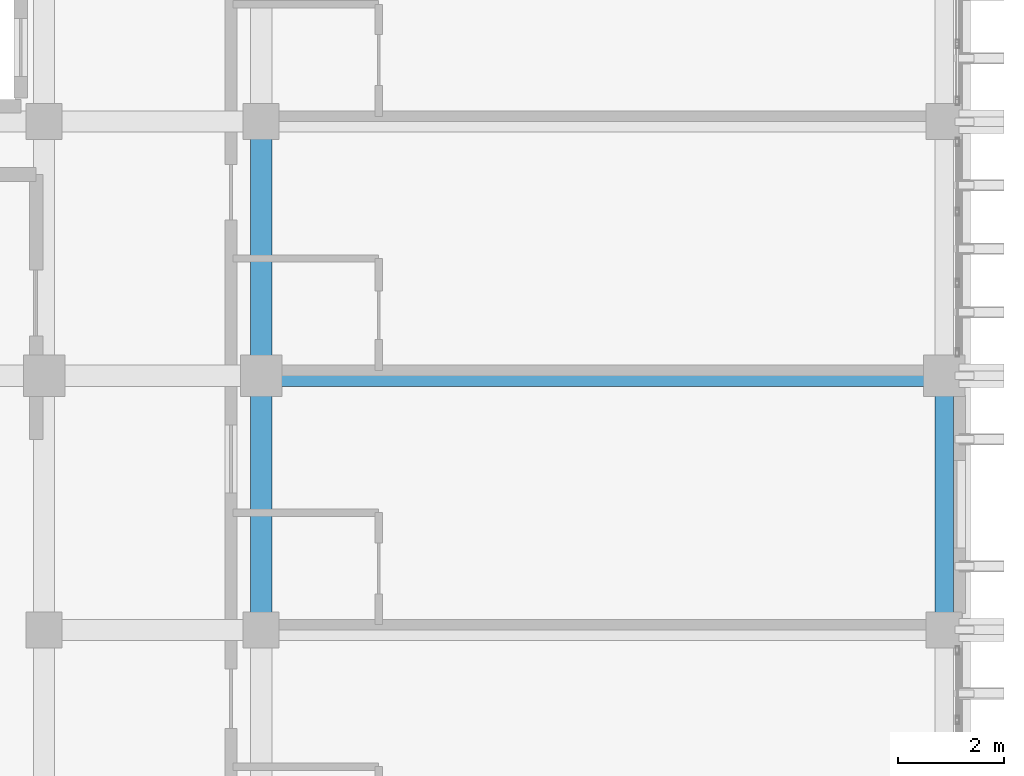
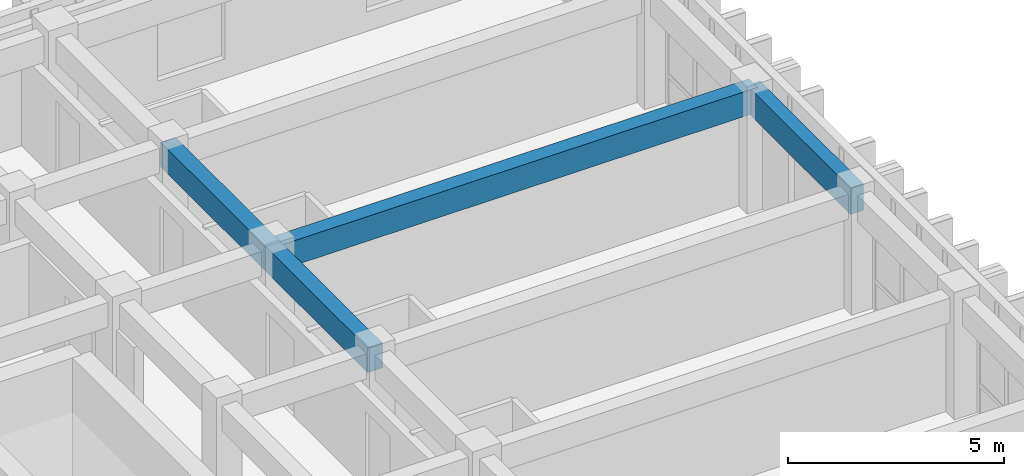
# One storey, part 48 of 68: 4 beams.
"""IFC4 building model written with IfcOpenShell, lengths in metres."""

import ifcopenshell
import ifcopenshell.guid

model = None  # the IFC model being written
_history = None  # IfcOwnerHistory: only IFC2X3 demands one
_inside = {}  # id of a spatial element -> (the spatial element, [elements in it])
_under = {}  # id of a project, library or spatial element -> (it, [spatial elements below it])
_declared = {}  # id of a project -> (the project, [libraries it declares])
_typed = {}  # id of a type object -> (the type object, [elements of that type])
_made_of = {}  # id of a material, layer set ... -> (it, [elements and type objects made of it])


def new_model(schema):
    """Start an empty IFC model of exactly this schema.

    Asked for "IFC4X3", IfcOpenShell would pick the latest addendum, in which some entities
    have other attributes; the version numbers below select the first issue.
    IFC2X3 requires an IfcOwnerHistory on every rooted entity: one is made here for all.
    """
    global model, _history
    if schema == "IFC4X3":
        model = ifcopenshell.file(schema_version=(4, 3, 0, 0))
    else:
        model = ifcopenshell.file(schema=schema)
    _inside.clear()
    _under.clear()
    _declared.clear()
    _typed.clear()
    _made_of.clear()
    _history = None
    if model.schema == "IFC2X3":
        org = make("IfcOrganization", Name="unknown")
        user = make(
            "IfcPersonAndOrganization",
            ThePerson=make("IfcPerson", FamilyName="unknown"),
            TheOrganization=org,
        )
        app = make(
            "IfcApplication",
            ApplicationDeveloper=org,
            Version="unknown",
            ApplicationFullName="unknown",
            ApplicationIdentifier="unknown",
        )
        _history = make(
            "IfcOwnerHistory",
            OwningUser=user,
            OwningApplication=app,
            ChangeAction="ADDED",
            CreationDate=0,
        )
    return model


def make(cls, **values):
    """One entity of the class cls with the attributes given. An attribute that is None is left unset."""
    return model.create_entity(
        cls, **{name: value for name, value in values.items() if value is not None}
    )


def rooted(cls, **values):
    """An entity with a GlobalId (a new one), such as an element, a storey or a relation."""
    return make(cls, GlobalId=ifcopenshell.guid.new(), OwnerHistory=_history, **values)


def si_unit(unit_type, name, prefix=None):
    """IfcSIUnit, for example si_unit("LENGTHUNIT", "METRE", prefix="MILLI")."""
    return make("IfcSIUnit", UnitType=unit_type, Prefix=prefix, Name=name)


def assignment(units):
    """IfcUnitAssignment: the units of a project."""
    return None if units is None else make("IfcUnitAssignment", Units=units)


def point(xyz):
    """IfcCartesianPoint."""
    return None if xyz is None else make("IfcCartesianPoint", Coordinates=xyz)


def direction(xyz):
    """IfcDirection."""
    return None if xyz is None else make("IfcDirection", DirectionRatios=xyz)


def frame(location, z_axis=None, x_axis=None):
    """IfcAxis2Placement3D, a coordinate frame: its origin and axes. An axis left out is left unset."""
    return make(
        "IfcAxis2Placement3D",
        Location=point(location),
        Axis=direction(z_axis),
        RefDirection=direction(x_axis),
    )


def frame_2d(location, x_axis=None):
    """IfcAxis2Placement2D, a coordinate frame in the plane: its origin and x axis."""
    return make(
        "IfcAxis2Placement2D", Location=point(location), RefDirection=direction(x_axis)
    )


def origin():
    """The frame at (0, 0, 0) with its axes left unset."""
    return frame((0.0, 0.0, 0.0))


def origin_2d():
    """The frame at (0, 0) in the plane with its x axis left unset."""
    return frame_2d((0.0, 0.0))


def place(relative_to, where):
    """IfcLocalPlacement: puts the frame where relative to a parent placement (None: the world)."""
    return make(
        "IfcLocalPlacement", PlacementRelTo=relative_to, RelativePlacement=where
    )


def context(
    kind, dimensions, precision=None, world=None, true_north=None, identifier=None
):
    """IfcGeometricRepresentationContext, for example the 3D "Model" context."""
    return make(
        "IfcGeometricRepresentationContext",
        ContextIdentifier=identifier,
        ContextType=kind,
        CoordinateSpaceDimension=dimensions,
        Precision=precision,
        WorldCoordinateSystem=world,
        TrueNorth=true_north,
    )


def subcontext(parent, identifier, kind, view, scale=None):
    """IfcGeometricRepresentationSubContext, for example "Body" below "Model"."""
    return make(
        "IfcGeometricRepresentationSubContext",
        ContextIdentifier=identifier,
        ContextType=kind,
        ParentContext=parent,
        TargetScale=scale,
        TargetView=view,
    )


def project(units=None, contexts=None):
    """IfcProject with its units and contexts."""
    return rooted(
        "IfcProject",
        Name="project",
        RepresentationContexts=contexts,
        UnitsInContext=assignment(units),
    )


def spatial(cls, under=None, at=None, **own):
    """A site, building, storey or space (cls), placed at a placement, below another one or the project."""
    s = rooted(cls, ObjectPlacement=at, **own)
    if under is not None:
        _under.setdefault(under.id(), (under, []))[1].append(s)
    return s


def profile(cls, at=None, kind="AREA", **sizes):
    """A parametric profile (cls). Its sizes go by their IFC names, for example OverallWidth=200.0."""
    return make(cls, ProfileType=kind, Position=at, **sizes)


def rectangle(**sizes):
    """IfcRectangleProfileDef."""
    return profile("IfcRectangleProfileDef", **sizes)


def extrude(swept, where, along, depth):
    """IfcExtrudedAreaSolid: the profile swept, set in the frame where, extruded along a direction by depth."""
    return make(
        "IfcExtrudedAreaSolid",
        SweptArea=swept,
        Position=where,
        ExtrudedDirection=direction(along),
        Depth=depth,
    )


def shape(context_of_items, identifier, shape_type, items):
    """IfcShapeRepresentation: the items that make up one representation, for example the "Body"."""
    return make(
        "IfcShapeRepresentation",
        ContextOfItems=context_of_items,
        RepresentationIdentifier=identifier,
        RepresentationType=shape_type,
        Items=items,
    )


def material(Name=None, Category=None):
    """IfcMaterial."""
    return make("IfcMaterial", Name=Name, Category=Category)


def material_profile(
    of_material, cross_section, Name=None, Category=None, Priority=None
):
    """IfcMaterialProfile: a cross section and its material."""
    return make(
        "IfcMaterialProfile",
        Name=Name,
        Material=of_material,
        Profile=cross_section,
        Priority=Priority,
        Category=Category,
    )


def profile_set(profiles, Name=None, composite=None):
    """IfcMaterialProfileSet."""
    return make(
        "IfcMaterialProfileSet",
        Name=Name,
        MaterialProfiles=profiles,
        CompositeProfile=composite,
    )


def made_of(thing, what):
    """Note that an element or type object is made of a material, layer set ...; save() writes the relation."""
    if what is not None:
        _made_of.setdefault(what.id(), (what, []))[1].append(thing)
    return thing


def type_object(cls, material=None, **own):
    """A type object (cls), such as IfcWallType, which elements share."""
    return made_of(rooted(cls, **own), material)


def element(
    cls,
    number,
    at=None,
    inside=None,
    cuts=None,
    type_object=None,
    material=None,
    context=None,
    identifier="Body",
    shape_type=None,
    held_by="IfcProductDefinitionShape",
    body=None,
    shapes=None,
    **own,
):
    """One element of the class cls, such as IfcWall. Its Tag is "e" and its number.

    at: its placement. inside: the storey or other place that contains it. cuts: it is an
    opening in that element (IfcRelVoidsElement). A single representation is given by context,
    identifier, shape_type and body (its items); several are given by shapes. held_by: the class
    of the entity that holds the representations. save() writes the other relations.
    """
    e = rooted(cls, Tag="e%d" % number, ObjectPlacement=at, **own)
    if body is not None:
        shapes = [shape(context, identifier, shape_type, body)]
    if shapes is not None:
        e.Representation = make(held_by, Representations=shapes)
    if inside is not None:
        _inside.setdefault(inside.id(), (inside, []))[1].append(e)
    if cuts is not None:
        rooted(
            "IfcRelVoidsElement", RelatingBuildingElement=cuts, RelatedOpeningElement=e
        )
    if type_object is not None:
        _typed.setdefault(type_object.id(), (type_object, []))[1].append(e)
    return made_of(e, material)


def aggregate(whole, parts):
    """IfcRelAggregates: a whole, such as a stair, and the parts it consists of."""
    return rooted("IfcRelAggregates", RelatingObject=whole, RelatedObjects=parts)


def save(model, path):
    """Write the relations noted so far, then the file.

    IfcRelAggregates (storeys below a building ...), IfcRelContainedInSpatialStructure (elements
    in a storey), IfcRelDefinesByType, IfcRelAssociatesMaterial and IfcRelDeclares: one each for
    every whole, place, type object, material and project.
    """
    for whole, parts in _under.values():
        aggregate(whole, parts)
    for where, things in _inside.values():
        rooted(
            "IfcRelContainedInSpatialStructure",
            RelatedElements=things,
            RelatingStructure=where,
        )
    for kind, things in _typed.values():
        rooted("IfcRelDefinesByType", RelatedObjects=things, RelatingType=kind)
    for what, things in _made_of.values():
        rooted("IfcRelAssociatesMaterial", RelatedObjects=things, RelatingMaterial=what)
    for by, libraries in _declared.values():
        rooted("IfcRelDeclares", RelatingContext=by, RelatedDefinitions=libraries)
    model.write(path)


model = new_model("IFC4")

# Units and contexts
model_context = context("Model", 3, precision=1e-05, world=origin(), true_north=direction((0.0, 1.0)))
body_context = subcontext(model_context, "Body", "Model", "MODEL_VIEW")
ifc_project = project(units=[si_unit("LENGTHUNIT", "METRE"), si_unit("AREAUNIT", "SQUARE_METRE"), si_unit("VOLUMEUNIT", "CUBIC_METRE"), si_unit("PLANEANGLEUNIT", "RADIAN"), si_unit("MASSUNIT", "GRAM", prefix="KILO")], contexts=[model_context])

# Site, building, storey
site_placement = place(None, origin())
site = spatial("IfcSite", under=ifc_project, at=site_placement, CompositionType="ELEMENT")
building_placement = place(site_placement, origin())
building = spatial("IfcBuilding", under=site, at=building_placement, Name="Nakhvara Creek Congress Hotel", CompositionType="ELEMENT")
storey_placement = place(building_placement, frame((0.0, 0.0, 24.60009765625)))
storey = spatial("IfcBuildingStorey", under=building, at=storey_placement, Name="L05", CompositionType="ELEMENT", Elevation=24.60009765625)

# Beams
ifc_material = material(Name="Concrete C40/50", Category="concrete")
ifc_material_profile_1 = material_profile(ifc_material, rectangle(XDim=0.39990234375, YDim=0.699951171875, at=origin_2d()), Name="RC-BM 400x700", Category="LoadBearing")
ifc_profile_set_1 = profile_set([ifc_material_profile_1], Name="Concrete C40/50")
beam_type_1 = type_object("IfcBeamType", Name="BM-RC-400X700", PredefinedType="BEAM", material=ifc_profile_set_1)
beam_1_placement = place(storey_placement, frame((166.449951171875, 115.199951171875, 2.989990234375), z_axis=(1.0, 0.0, 0.0), x_axis=(0.0, 1.0, 0.0)))
element("IfcBeam", 1, at=beam_1_placement, inside=storey, type_object=beam_type_1, Name="Beam B05-L05-2142", PredefinedType="BEAM", context=body_context, shape_type="SweptSolid", body=[
    extrude(rectangle(XDim=0.39990234375, YDim=0.699951171875, at=origin_2d()), origin(), (0.0, 0.0, 1.0), 12.900146484375),
])
for number, where, z_axis, x_axis, name in (
    (2, (166.449951171875, 110.39990234375, 2.989990234375), (0.0, 1.0, 0.0), (-1.0, 0.0, 0.0), "Beam B05-L05-2143"),
    (3, (166.449951171875, 115.199951171875, 2.989990234375), (0.0, 1.0, 0.0), (-1.0, 0.0, 0.0), "Beam B05-L05-2144"),
):
    element("IfcBeam", number, at=place(storey_placement, frame(where, z_axis=z_axis, x_axis=x_axis)), inside=storey, type_object=beam_type_1, Name=name, PredefinedType="BEAM", context=body_context, shape_type="SweptSolid", body=[
        extrude(rectangle(XDim=0.39990234375, YDim=0.699951171875, at=origin_2d()), origin(), (0.0, 0.0, 1.0), 4.800048828125),
    ])
ifc_material_profile_2 = material_profile(ifc_material, rectangle(XDim=0.35009765625, YDim=0.75, at=origin_2d()), Name="RC-SPANDREL 350x750", Category="LoadBearing")
ifc_profile_set_2 = profile_set([ifc_material_profile_2], Name="Concrete C40/50")
beam_type_2 = type_object("IfcBeamType", Name="BM-SPN-350X750", PredefinedType="SPANDREL", material=ifc_profile_set_2)
beam_2_placement = place(storey_placement, frame((179.35009765625, 110.39990234375, 2.96484375), z_axis=(0.0, 1.0, 0.0), x_axis=(-1.0, 0.0, 0.0)))
element("IfcBeam", 4, at=beam_2_placement, inside=storey, type_object=beam_type_2, Name="Beam SP1-L05-2164", PredefinedType="SPANDREL", context=body_context, shape_type="SweptSolid", body=[
    extrude(rectangle(XDim=0.35009765625, YDim=0.75, at=origin_2d()), origin(), (0.0, 0.0, 1.0), 4.800048828125),
])

save(model, "model.ifc")
